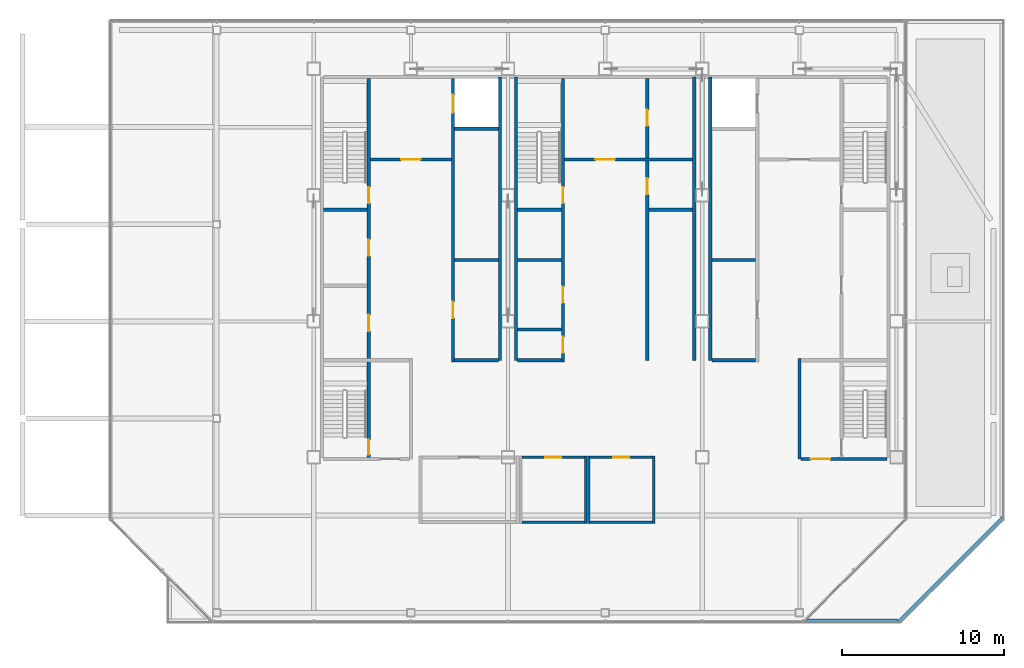
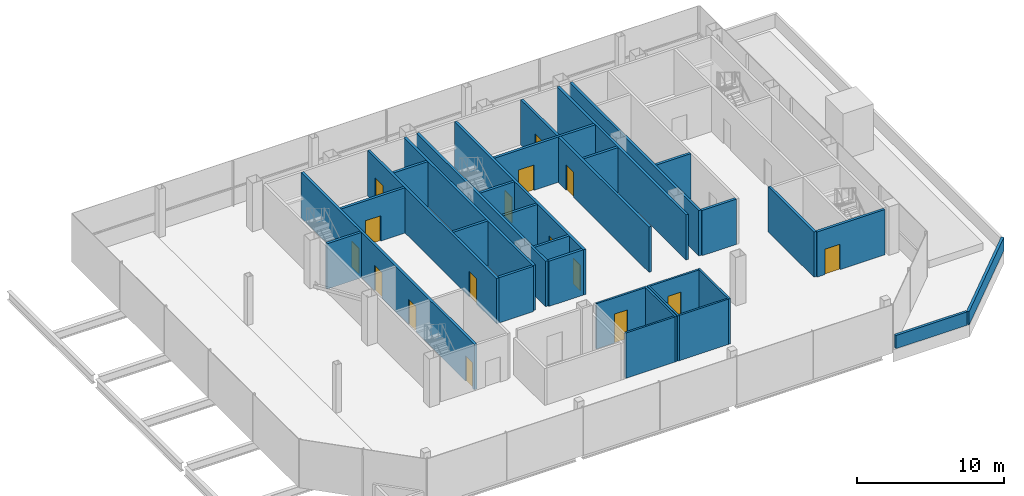
# One storey, part 13 of 17: 32 walls, 16 doors, 16 openings.
"""IFC4 building model written with IfcOpenShell, lengths in metres."""

from ifc_helpers import new_model, si_unit, direction, frame, frame_2d, origin, place, context, subcontext, project, spatial, rectangle, extrude, material, layer, layer_set, type_object, element, fill, save


model = new_model("IFC4")

# Units and contexts
model_context = context("Model", 3, precision=1e-05, world=origin(), true_north=direction((0.0, 1.0)))
body_context = subcontext(model_context, "Body", "Model", "MODEL_VIEW")
ifc_project = project(units=[si_unit("LENGTHUNIT", "METRE"), si_unit("AREAUNIT", "SQUARE_METRE"), si_unit("VOLUMEUNIT", "CUBIC_METRE"), si_unit("PLANEANGLEUNIT", "RADIAN"), si_unit("MASSUNIT", "GRAM", prefix="KILO")], contexts=[model_context])

# Site, building, storey
site_placement = place(None, origin())
site = spatial("IfcSite", under=ifc_project, at=site_placement, CompositionType="ELEMENT")
building_placement = place(site_placement, origin())
building = spatial("IfcBuilding", under=site, at=building_placement, Name="Sorahane Residences", CompositionType="ELEMENT")
storey_placement = place(building_placement, frame((0.0, 0.0, 341.800048828125)))
storey = spatial("IfcBuildingStorey", under=building, at=storey_placement, Name="L81", CompositionType="ELEMENT", Elevation=341.800048828125)

# Walls
ifc_material_1 = material(Name="Concrete C30", Category="concrete")
ifc_layer_1 = layer(ifc_material_1, 0.199951171875)
ifc_layer_set_1 = layer_set([ifc_layer_1], Name="Core face wall 200 EI 180")
wall_type_1 = type_object("IfcWallType", Name="Core face wall 200 EI 180", PredefinedType="SOLIDWALL", material=ifc_layer_set_1)
for number, where, z_axis, x_axis, name in (
    (1, (17.5, 27.60009765625, 0.0), (0.0, 0.0, 1.0), (0.0, 1.0, 0.0), "L81 core face wall"),
    (2, (18.5, 27.60009765625, 0.0), (0.0, 0.0, 1.0), (0.0, 1.0, 0.0), "L81 core face wall"),
    (3, (29.5, 27.60009765625, 0.0), (0.0, 0.0, 1.0), (0.0, 1.0, 0.0), "L81 core face wall"),
    (4, (30.5, 27.60009765625, 0.0), (0.0, 0.0, 1.0), (0.0, 1.0, 0.0), "L81 core face wall"),
):
    element("IfcWall", number, at=place(storey_placement, frame(where, z_axis=z_axis, x_axis=x_axis)), inside=storey, type_object=wall_type_1, Name=name, PredefinedType="SOLIDWALL", context=body_context, shape_type="SweptSolid", body=[
        extrude(rectangle(XDim=17.5, YDim=0.199951171875, at=frame_2d((8.75, 0.0))), origin(), (0.0, 0.0, 1.0), 3.75),
    ])

# Wall, openings, doors
ifc_material_2 = material(Name="Concrete C30", Category="concrete")
ifc_layer_2 = layer(ifc_material_2, 0.199951171875)
ifc_layer_set_2 = layer_set([ifc_layer_2], Name="Front room wall 200 EI 120")
wall_type_2 = type_object("IfcWallType", Name="Front room wall 200 EI 120", PredefinedType="PARTITIONING", material=ifc_layer_set_2)
wall_1_placement = place(storey_placement, frame((26.60009765625, 27.60009765625, 0.0), z_axis=(0.0, 0.0, 1.0), x_axis=(0.0, 1.0, 0.0)))
wall_1 = element("IfcWall", 5, at=wall_1_placement, inside=storey, type_object=wall_type_2, Name="L81 front room wall", PredefinedType="PARTITIONING", context=body_context, shape_type="SweptSolid", body=[
    extrude(rectangle(XDim=17.39990234375, YDim=0.199951171875, at=frame_2d((8.699951171875, 0.0))), origin(), (0.0, 0.0, 1.0), 3.75),
])
opening_1_placement = place(wall_1_placement, frame((10.25, 0.0, 0.0)))
opening_1 = element("IfcOpeningElement", 6, at=opening_1_placement, cuts=wall_1, Name="Opening L81-C20", PredefinedType="OPENING", context=body_context, shape_type="SweptSolid", body=[
    extrude(rectangle(XDim=1.0, YDim=2.10009765625, at=frame_2d((0.5, 1.050048828125))), frame((0.0, 0.10986328125, 0.0), z_axis=(0.0, -1.0, 0.0), x_axis=(1.0, 0.0, 0.0)), (0.0, 0.0, 1.0), 0.219970703125),
])
opening_2_placement = place(wall_1_placement, frame((14.47509765625, 0.0, 0.0)))
opening_2 = element("IfcOpeningElement", 7, at=opening_2_placement, cuts=wall_1, Name="Opening L81-C21", PredefinedType="OPENING", context=body_context, shape_type="SweptSolid", body=[
    extrude(rectangle(XDim=1.0, YDim=2.10009765625, at=frame_2d((0.5, 1.050048828125))), frame((0.0, 0.10986328125, 0.0), z_axis=(0.0, -1.0, 0.0), x_axis=(1.0, 0.0, 0.0)), (0.0, 0.0, 1.0), 0.219970703125),
])
ifc_material_3 = material(Name="Steel", Category="steel")
door_type_1 = type_object("IfcDoorType", Name="Service room door 1000x2100 FD60", OperationType="NOTDEFINED", PredefinedType="DOOR", material=ifc_material_3)
door_1_placement = place(opening_1_placement, frame((1.0, 0.0, 0.0), z_axis=(0.0, 0.0, 1.0), x_axis=(-1.0, 0.0, 0.0)))
door_1 = element("IfcDoor", 8, at=door_1_placement, inside=storey, type_object=door_type_1, Name="Service room door Linen room L81", OperationType="SINGLE_SWING_LEFT", OverallHeight=2.10009765625, OverallWidth=1.0, PredefinedType="DOOR", context=body_context, shape_type="SweptSolid", body=[
    extrude(rectangle(XDim=1.0, YDim=2.10009765625, at=frame_2d((0.5, 1.050048828125))), frame((0.0, 0.02490234375, 0.0), z_axis=(0.0, -1.0, 0.0), x_axis=(1.0, 0.0, 0.0)), (0.0, 0.0, 1.0), 0.050048828125),
])
fill(opening_1, door_1)
door_2_placement = place(opening_2_placement, frame((1.0, 0.0, 0.0), z_axis=(0.0, 0.0, 1.0), x_axis=(-1.0, 0.0, 0.0)))
door_2 = element("IfcDoor", 9, at=door_2_placement, inside=storey, type_object=door_type_1, Name="Service room door Cleaners' store L81", OperationType="SINGLE_SWING_LEFT", OverallHeight=2.10009765625, OverallWidth=1.0, PredefinedType="DOOR", context=body_context, shape_type="SweptSolid", body=[
    extrude(rectangle(XDim=1.0, YDim=2.10009765625, at=frame_2d((0.5, 1.050048828125))), frame((0.0, 0.02490234375, 0.0), z_axis=(0.0, -1.0, 0.0), x_axis=(1.0, 0.0, 0.0)), (0.0, 0.0, 1.0), 0.050048828125),
])
fill(opening_2, door_2)

# Wall
wall_2_placement = place(storey_placement, frame((36.0, 21.5, 0.0), z_axis=(0.0, 0.0, 1.0), x_axis=(0.0, 1.0, 0.0)))
element("IfcWall", 10, at=wall_2_placement, inside=storey, type_object=wall_type_2, Name="L81 front room wall", PredefinedType="PARTITIONING", context=body_context, shape_type="SweptSolid", body=[
    extrude(rectangle(XDim=6.199951171875, YDim=0.199951171875, at=frame_2d((3.10009765625, 0.0))), origin(), (0.0, 0.0, 1.0), 3.75),
])

# Wall, opening, door
wall_3_placement = place(storey_placement, frame((21.5, 40.0, 0.0), z_axis=(0.0, 0.0, 1.0), x_axis=(1.0, 0.0, 0.0)))
wall_3 = element("IfcWall", 11, at=wall_3_placement, inside=storey, type_object=wall_type_2, Name="L81 front room wall", PredefinedType="PARTITIONING", context=body_context, shape_type="SweptSolid", body=[
    extrude(rectangle(XDim=7.89990234375, YDim=0.199951171875, at=frame_2d((3.949951171875, 0.0))), origin(), (0.0, 0.0, 1.0), 3.75),
])
opening_3_placement = place(wall_3_placement, frame((1.89990234375, 0.0, 0.0)))
opening_3 = element("IfcOpeningElement", 12, at=opening_3_placement, cuts=wall_3, Name="Opening L81-C04", PredefinedType="OPENING", context=body_context, shape_type="SweptSolid", body=[
    extrude(rectangle(XDim=1.199951171875, YDim=2.10009765625, at=frame_2d((0.60009765625, 1.050048828125))), frame((0.0, 0.10986328125, 0.0), z_axis=(0.0, -1.0, 0.0), x_axis=(1.0, 0.0, 0.0)), (0.0, 0.0, 1.0), 0.219970703125),
])
ifc_material_4 = material(Name="Steel", Category="steel")
door_type_2 = type_object("IfcDoorType", Name="Front room door 1200x2100 FD120", OperationType="NOTDEFINED", PredefinedType="DOOR", material=ifc_material_4)
door_3_placement = place(opening_3_placement, frame((1.199951171875, 0.0, 0.0), z_axis=(0.0, 0.0, 1.0), x_axis=(-1.0, 0.0, 0.0)))
door_3 = element("IfcDoor", 13, at=door_3_placement, inside=storey, type_object=door_type_2, Name="Front room door Stair S3 vestibule L81", OperationType="DOUBLE_DOOR_SINGLE_SWING", OverallHeight=2.10009765625, OverallWidth=1.199951171875, PredefinedType="DOOR", context=body_context, shape_type="SweptSolid", body=[
    extrude(rectangle(XDim=1.199951171875, YDim=2.10009765625, at=frame_2d((0.60009765625, 1.050048828125))), frame((0.0, 0.02490234375, 0.0), z_axis=(0.0, -1.0, 0.0), x_axis=(1.0, 0.0, 0.0)), (0.0, 0.0, 1.0), 0.050048828125),
])
fill(opening_3, door_3)

wall_4_placement = place(storey_placement, frame((9.5, 40.0, 0.0), z_axis=(0.0, 0.0, 1.0), x_axis=(1.0, 0.0, 0.0)))
wall_4 = element("IfcWall", 14, at=wall_4_placement, inside=storey, type_object=wall_type_2, Name="L81 front room wall", PredefinedType="PARTITIONING", context=body_context, shape_type="SweptSolid", body=[
    extrude(rectangle(XDim=5.0, YDim=0.199951171875, at=frame_2d((2.5, 0.0))), origin(), (0.0, 0.0, 1.0), 3.75),
])
opening_4_placement = place(wall_4_placement, frame((1.89990234375, 0.0, 0.0)))
opening_4 = element("IfcOpeningElement", 15, at=opening_4_placement, cuts=wall_4, Name="Opening L81-C03", PredefinedType="OPENING", context=body_context, shape_type="SweptSolid", body=[
    extrude(rectangle(XDim=1.199951171875, YDim=2.10009765625, at=frame_2d((0.60009765625, 1.050048828125))), frame((0.0, 0.10986328125, 0.0), z_axis=(0.0, -1.0, 0.0), x_axis=(1.0, 0.0, 0.0)), (0.0, 0.0, 1.0), 0.219970703125),
])
door_4_placement = place(opening_4_placement, frame((1.199951171875, 0.0, 0.0), z_axis=(0.0, 0.0, 1.0), x_axis=(-1.0, 0.0, 0.0)))
door_4 = element("IfcDoor", 16, at=door_4_placement, inside=storey, type_object=door_type_2, Name="Front room door Firefighting lobby FF1 front room L81", OperationType="DOUBLE_DOOR_SINGLE_SWING", OverallHeight=2.10009765625, OverallWidth=1.199951171875, PredefinedType="DOOR", context=body_context, shape_type="SweptSolid", body=[
    extrude(rectangle(XDim=1.199951171875, YDim=2.10009765625, at=frame_2d((0.60009765625, 1.050048828125))), frame((0.0, 0.02490234375, 0.0), z_axis=(0.0, -1.0, 0.0), x_axis=(1.0, 0.0, 0.0)), (0.0, 0.0, 1.0), 0.050048828125),
])
fill(opening_4, door_4)

# Wall, openings, doors
ifc_material_5 = material(Name="Concrete C30", Category="concrete")
ifc_layer_3 = layer(ifc_material_5, 0.199951171875)
ifc_layer_set_3 = layer_set([ifc_layer_3], Name="Lift shaft wall 200 EI 120")
wall_type_3 = type_object("IfcWallType", Name="Lift shaft wall 200 EI 120", PredefinedType="SOLIDWALL", material=ifc_layer_set_3)
wall_5_placement = place(storey_placement, frame((14.60009765625, 27.5, 0.0), z_axis=(0.0, 0.0, 1.0), x_axis=(0.0, 1.0, 0.0)))
wall_5 = element("IfcWall", 17, at=wall_5_placement, inside=storey, type_object=wall_type_3, Name="L81 lift shaft wall", PredefinedType="SOLIDWALL", context=body_context, shape_type="SweptSolid", body=[
    extrude(rectangle(XDim=17.5, YDim=0.199951171875, at=frame_2d((8.75, 0.0))), origin(), (0.0, 0.0, 1.0), 3.75),
])
opening_5_placement = place(wall_5_placement, frame((15.39990234375, 0.0, 0.0)))
opening_5 = element("IfcOpeningElement", 18, at=opening_5_placement, cuts=wall_5, Name="Opening L81-C07", PredefinedType="OPENING", context=body_context, shape_type="SweptSolid", body=[
    extrude(rectangle(XDim=1.10009765625, YDim=2.10009765625, at=frame_2d((0.550048828125, 1.050048828125))), frame((0.0, 0.10986328125, 0.0), z_axis=(0.0, -1.0, 0.0), x_axis=(1.0, 0.0, 0.0)), (0.0, 0.0, 1.0), 0.219970703125),
])
opening_6_placement = place(wall_5_placement, frame((2.699951171875, 0.0, 0.0)))
opening_6 = element("IfcOpeningElement", 19, at=opening_6_placement, cuts=wall_5, Name="Opening L81-C12", PredefinedType="OPENING", context=body_context, shape_type="SweptSolid", body=[
    extrude(rectangle(XDim=1.0, YDim=2.10009765625, at=frame_2d((0.5, 1.050048828125))), frame((0.0, 0.10986328125, 0.0), z_axis=(0.0, -1.0, 0.0), x_axis=(1.0, 0.0, 0.0)), (0.0, 0.0, 1.0), 0.219970703125),
])
ifc_material_6 = material(Name="Aluminium and stainless steel", Category="steel")
door_type_3 = type_object("IfcDoorType", Name="Lift landing door 1100x2100 E 60", OperationType="NOTDEFINED", PredefinedType="DOOR", material=ifc_material_6)
door_5_placement = place(opening_5_placement, origin())
door_5 = element("IfcDoor", 20, at=door_5_placement, inside=storey, type_object=door_type_3, Name="Lift landing door FF1 L81", OperationType="DOUBLE_DOOR_SLIDING", OverallHeight=2.10009765625, OverallWidth=1.10009765625, PredefinedType="DOOR", context=body_context, shape_type="SweptSolid", body=[
    extrude(rectangle(XDim=1.10009765625, YDim=2.10009765625, at=frame_2d((0.550048828125, 1.050048828125))), frame((0.0, 0.02490234375, 0.0), z_axis=(0.0, -1.0, 0.0), x_axis=(1.0, 0.0, 0.0)), (0.0, 0.0, 1.0), 0.050048828125),
])
fill(opening_5, door_5)
door_6_placement = place(opening_6_placement, frame((1.0, 0.0, 0.0), z_axis=(0.0, 0.0, 1.0), x_axis=(-1.0, 0.0, 0.0)))
door_6 = element("IfcDoor", 21, at=door_6_placement, inside=storey, type_object=door_type_1, Name="Service room door Quiet room L81", OperationType="SINGLE_SWING_RIGHT", OverallHeight=2.10009765625, OverallWidth=1.0, PredefinedType="DOOR", context=body_context, shape_type="SweptSolid", body=[
    extrude(rectangle(XDim=1.0, YDim=2.10009765625, at=frame_2d((0.5, 1.050048828125))), frame((0.0, 0.02490234375, 0.0), z_axis=(0.0, -1.0, 0.0), x_axis=(1.0, 0.0, 0.0)), (0.0, 0.0, 1.0), 0.050048828125),
])
fill(opening_6, door_6)

# Walls
wall_6_placement = place(storey_placement, frame((14.699951171875, 41.89990234375, 0.0), z_axis=(0.0, 0.0, 1.0), x_axis=(1.0, 0.0, 0.0)))
element("IfcWall", 22, at=wall_6_placement, inside=storey, type_object=wall_type_3, Name="L81 lift shaft wall", PredefinedType="SOLIDWALL", context=body_context, shape_type="SweptSolid", body=[
    extrude(rectangle(XDim=2.699951171875, YDim=0.199951171875, at=frame_2d((1.35009765625, 0.0))), origin(), (0.0, 0.0, 1.0), 3.75),
])
ifc_material_7 = material(Name="Concrete C35", Category="concrete")
ifc_layer_4 = layer(ifc_material_7, 0.199951171875)
ifc_layer_set_4 = layer_set([ifc_layer_4], Name="Parapet wall Concrete C35 200")
wall_type_4 = type_object("IfcWallType", Name="Parapet wall Concrete C35 200", PredefinedType="PARAPET", material=ifc_layer_set_4)
wall_7_placement = place(storey_placement, frame((48.57080078125, 17.863525390625, 0.0), z_axis=(0.0, 0.0, 1.0), x_axis=(-0.707106781187, -0.707106781187, 0.0)))
element("IfcWall", 23, at=wall_7_placement, inside=storey, type_object=wall_type_4, Name="Roof parapet L81.2.1.3", PredefinedType="PARAPET", context=body_context, shape_type="SweptSolid", body=[
    extrude(rectangle(XDim=9.099609375, YDim=0.199951171875, at=frame_2d((4.5498046875, 0.0))), origin(), (0.0, 0.0, 1.0), 1.099853515625),
])
wall_8_placement = place(storey_placement, frame((42.06201171875, 11.5, 0.0), z_axis=(0.0, 0.0, 1.0), x_axis=(-1.0, 0.0, 0.0)))
element("IfcWall", 24, at=wall_8_placement, inside=storey, type_object=wall_type_4, Name="Roof parapet L81.2.1.4", PredefinedType="PARAPET", context=body_context, shape_type="SweptSolid", body=[
    extrude(rectangle(XDim=5.572021484375, YDim=0.199951171875, at=frame_2d((2.7861328125, 0.0))), origin(), (0.0, 0.0, 1.0), 1.099853515625),
])
ifc_material_8 = material(Name="Gypsum board partition on steel studs", Category="steel")
ifc_layer_5 = layer(ifc_material_8, 0.14990234375)
ifc_layer_set_5 = layer_set([ifc_layer_5], Name="Partition 150 EI 90")
wall_type_5 = type_object("IfcWallType", Name="Partition 150 EI 90", PredefinedType="PARTITIONING", material=ifc_layer_set_5)
wall_9_placement = place(storey_placement, frame((22.800048828125, 17.52490234375, 0.0), z_axis=(0.0, 0.0, 1.0), x_axis=(0.0, 1.0, 0.0)))
element("IfcWall", 25, at=wall_9_placement, inside=storey, type_object=wall_type_5, Name="L81 partition", PredefinedType="PARTITIONING", context=body_context, shape_type="SweptSolid", body=[
    extrude(rectangle(XDim=4.150146484375, YDim=0.14990234375, at=frame_2d((2.0751953125, 0.0))), origin(), (0.0, 0.0, 1.0), 3.75),
])
wall_10_placement = place(storey_placement, frame((18.875, 17.60009765625, 0.0), z_axis=(0.0, 0.0, 1.0), x_axis=(1.0, 0.0, 0.0)))
element("IfcWall", 26, at=wall_10_placement, inside=storey, type_object=wall_type_5, Name="L81 partition", PredefinedType="PARTITIONING", context=body_context, shape_type="SweptSolid", body=[
    extrude(rectangle(XDim=3.85009765625, YDim=0.14990234375, at=frame_2d((1.925048828125, 0.0))), origin(), (0.0, 0.0, 1.0), 3.75),
])

# Wall, opening, door
wall_11_placement = place(storey_placement, frame((18.875, 21.60009765625, 0.0), z_axis=(0.0, 0.0, 1.0), x_axis=(1.0, 0.0, 0.0)))
wall_11 = element("IfcWall", 27, at=wall_11_placement, inside=storey, type_object=wall_type_5, Name="L81 partition", PredefinedType="PARTITIONING", context=body_context, shape_type="SweptSolid", body=[
    extrude(rectangle(XDim=3.85009765625, YDim=0.14990234375, at=frame_2d((1.925048828125, 0.0))), origin(), (0.0, 0.0, 1.0), 3.75),
])
opening_7_placement = place(wall_11_placement, frame((1.425048828125, 0.0, 0.0)))
opening_7 = element("IfcOpeningElement", 28, at=opening_7_placement, cuts=wall_11, Name="Opening L81-02", PredefinedType="OPENING", context=body_context, shape_type="SweptSolid", body=[
    extrude(rectangle(XDim=1.0, YDim=2.39990234375, at=frame_2d((0.5, 1.199951171875))), frame((0.0, 0.0849609375, 0.0), z_axis=(0.0, -1.0, 0.0), x_axis=(1.0, 0.0, 0.0)), (0.0, 0.0, 1.0), 0.169921875),
])
ifc_material_9 = material(Name="Timber veneered fire door", Category="wood")
door_type_4 = type_object("IfcDoorType", Name="Room door 1000x2400 FD30", OperationType="NOTDEFINED", PredefinedType="DOOR", material=ifc_material_9)
door_7_placement = place(opening_7_placement, origin())
door_7 = element("IfcDoor", 29, at=door_7_placement, inside=storey, type_object=door_type_4, Name="Room door L81-02", OperationType="SINGLE_SWING_RIGHT", OverallHeight=2.39990234375, OverallWidth=1.0, PredefinedType="DOOR", context=body_context, shape_type="SweptSolid", body=[
    extrude(rectangle(XDim=1.0, YDim=2.39990234375, at=frame_2d((0.5, 1.199951171875))), frame((0.0, 0.02490234375, 0.0), z_axis=(0.0, -1.0, 0.0), x_axis=(1.0, 0.0, 0.0)), (0.0, 0.0, 1.0), 0.050048828125),
])
fill(opening_7, door_7)

# Walls
ifc_material_10 = material(Name="Concrete C30", Category="concrete")
ifc_layer_6 = layer(ifc_material_10, 0.199951171875)
ifc_layer_set_6 = layer_set([ifc_layer_6], Name="Service room partition 200 EI 60")
wall_type_6 = type_object("IfcWallType", Name="Service room partition 200 EI 60", PredefinedType="PARTITIONING", material=ifc_layer_set_6)
for number, where, z_axis, x_axis, name in (
    (30, (14.699951171875, 27.60009765625, 0.0), (0.0, 0.0, 1.0), (1.0, 0.0, 0.0), "L81 service room wall"),
    (31, (18.60009765625, 27.60009765625, 0.0), (0.0, 0.0, 1.0), (1.0, 0.0, 0.0), "L81 service room wall"),
    (32, (30.60009765625, 27.60009765625, 0.0), (0.0, 0.0, 1.0), (1.0, 0.0, 0.0), "L81 service room wall"),
    (33, (18.60009765625, 29.5, 0.0), (0.0, 0.0, 1.0), (1.0, 0.0, 0.0), "L81 service room wall"),
    (34, (14.699951171875, 33.800048828125, 0.0), (0.0, 0.0, 1.0), (1.0, 0.0, 0.0), "L81 service room wall"),
    (35, (18.60009765625, 33.800048828125, 0.0), (0.0, 0.0, 1.0), (1.0, 0.0, 0.0), "L81 service room wall"),
    (36, (30.60009765625, 33.800048828125, 0.0), (0.0, 0.0, 1.0), (1.0, 0.0, 0.0), "L81 service room wall"),
    (37, (26.699951171875, 36.89990234375, 0.0), (0.0, 0.0, 1.0), (1.0, 0.0, 0.0), "L81 service room wall"),
):
    element("IfcWall", number, at=place(storey_placement, frame(where, z_axis=z_axis, x_axis=x_axis)), inside=storey, type_object=wall_type_6, Name=name, PredefinedType="PARTITIONING", context=body_context, shape_type="SweptSolid", body=[
        extrude(rectangle(XDim=2.699951171875, YDim=0.199951171875, at=frame_2d((1.35009765625, 0.0))), origin(), (0.0, 0.0, 1.0), 3.75),
    ])

# Wall, openings, doors
ifc_material_11 = material(Name="Concrete C30", Category="concrete")
ifc_layer_7 = layer(ifc_material_11, 0.199951171875)
ifc_layer_set_7 = layer_set([ifc_layer_7], Name="Stair enclosure wall 200 EI 120")
wall_type_7 = type_object("IfcWallType", Name="Stair enclosure wall 200 EI 120", PredefinedType="SOLIDWALL", material=ifc_layer_set_7)
wall_12_placement = place(storey_placement, frame((21.39990234375, 27.5, 0.0), z_axis=(0.0, 0.0, 1.0), x_axis=(0.0, 1.0, 0.0)))
wall_12 = element("IfcWall", 38, at=wall_12_placement, inside=storey, type_object=wall_type_7, Name="L81 stair enclosure wall", PredefinedType="SOLIDWALL", context=body_context, shape_type="SweptSolid", body=[
    extrude(rectangle(XDim=17.5, YDim=0.199951171875, at=frame_2d((8.75, 0.0))), origin(), (0.0, 0.0, 1.0), 3.75),
])
opening_8_placement = place(wall_12_placement, frame((0.550048828125, 0.0, 0.0)))
opening_8 = element("IfcOpeningElement", 39, at=opening_8_placement, cuts=wall_12, Name="Opening L81-C08", PredefinedType="OPENING", context=body_context, shape_type="SweptSolid", body=[
    extrude(rectangle(XDim=1.0, YDim=2.10009765625, at=frame_2d((0.5, 1.050048828125))), frame((0.0, 0.10986328125, 0.0), z_axis=(0.0, -1.0, 0.0), x_axis=(1.0, 0.0, 0.0)), (0.0, 0.0, 1.0), 0.219970703125),
])
opening_9_placement = place(wall_12_placement, frame((3.64990234375, 0.0, 0.0)))
opening_9 = element("IfcOpeningElement", 40, at=opening_9_placement, cuts=wall_12, Name="Opening L81-C09", PredefinedType="OPENING", context=body_context, shape_type="SweptSolid", body=[
    extrude(rectangle(XDim=1.0, YDim=2.10009765625, at=frame_2d((0.5, 1.050048828125))), frame((0.0, 0.10986328125, 0.0), z_axis=(0.0, -1.0, 0.0), x_axis=(1.0, 0.0, 0.0)), (0.0, 0.0, 1.0), 0.219970703125),
])
opening_10_placement = place(wall_12_placement, frame((9.800048828125, 0.0, 0.0)))
opening_10 = element("IfcOpeningElement", 41, at=opening_10_placement, cuts=wall_12, Name="Opening L81-C17", PredefinedType="OPENING", context=body_context, shape_type="SweptSolid", body=[
    extrude(rectangle(XDim=1.0, YDim=2.10009765625, at=frame_2d((0.5, 1.050048828125))), frame((0.0, 0.10986328125, 0.0), z_axis=(0.0, -1.0, 0.0), x_axis=(1.0, 0.0, 0.0)), (0.0, 0.0, 1.0), 0.219970703125),
])
door_8_placement = place(opening_8_placement, origin())
door_8 = element("IfcDoor", 42, at=door_8_placement, inside=storey, type_object=door_type_1, Name="Service room door Coat store L81", OperationType="SINGLE_SWING_LEFT", OverallHeight=2.10009765625, OverallWidth=1.0, PredefinedType="DOOR", context=body_context, shape_type="SweptSolid", body=[
    extrude(rectangle(XDim=1.0, YDim=2.10009765625, at=frame_2d((0.5, 1.050048828125))), frame((0.0, 0.02490234375, 0.0), z_axis=(0.0, -1.0, 0.0), x_axis=(1.0, 0.0, 0.0)), (0.0, 0.0, 1.0), 0.050048828125),
])
fill(opening_8, door_8)
door_9_placement = place(opening_9_placement, origin())
door_9 = element("IfcDoor", 43, at=door_9_placement, inside=storey, type_object=door_type_1, Name="Service room door Library L81", OperationType="SINGLE_SWING_LEFT", OverallHeight=2.10009765625, OverallWidth=1.0, PredefinedType="DOOR", context=body_context, shape_type="SweptSolid", body=[
    extrude(rectangle(XDim=1.0, YDim=2.10009765625, at=frame_2d((0.5, 1.050048828125))), frame((0.0, 0.02490234375, 0.0), z_axis=(0.0, -1.0, 0.0), x_axis=(1.0, 0.0, 0.0)), (0.0, 0.0, 1.0), 0.050048828125),
])
fill(opening_9, door_9)
ifc_material_12 = material(Name="Steel", Category="steel")
door_type_5 = type_object("IfcDoorType", Name="Stair door 1000x2100 FD120", OperationType="NOTDEFINED", PredefinedType="DOOR", material=ifc_material_12)
door_10_placement = place(opening_10_placement, origin())
door_10 = element("IfcDoor", 44, at=door_10_placement, inside=storey, type_object=door_type_5, Name="Stair door S3 L81", OperationType="SINGLE_SWING_LEFT", OverallHeight=2.10009765625, OverallWidth=1.0, PredefinedType="DOOR", context=body_context, shape_type="SweptSolid", body=[
    extrude(rectangle(XDim=1.0, YDim=2.10009765625, at=frame_2d((0.5, 1.050048828125))), frame((0.0, 0.02490234375, 0.0), z_axis=(0.0, -1.0, 0.0), x_axis=(1.0, 0.0, 0.0)), (0.0, 0.0, 1.0), 0.050048828125),
])
fill(opening_10, door_10)

wall_13_placement = place(storey_placement, frame((9.39990234375, 21.5, 0.0), z_axis=(0.0, 0.0, 1.0), x_axis=(0.0, 1.0, 0.0)))
wall_13 = element("IfcWall", 45, at=wall_13_placement, inside=storey, type_object=wall_type_7, Name="L81 stair enclosure wall", PredefinedType="SOLIDWALL", context=body_context, shape_type="SweptSolid", body=[
    extrude(rectangle(XDim=23.5, YDim=0.199951171875, at=frame_2d((11.75, 0.0))), origin(), (0.0, 0.0, 1.0), 3.75),
])
opening_11_placement = place(wall_13_placement, frame((7.89990234375, 0.0, 0.0)))
opening_11 = element("IfcOpeningElement", 46, at=opening_11_placement, cuts=wall_13, Name="Opening L81-C13", PredefinedType="OPENING", context=body_context, shape_type="SweptSolid", body=[
    extrude(rectangle(XDim=1.0, YDim=2.10009765625, at=frame_2d((0.5, 1.050048828125))), frame((0.0, 0.10986328125, 0.0), z_axis=(0.0, -1.0, 0.0), x_axis=(1.0, 0.0, 0.0)), (0.0, 0.0, 1.0), 0.219970703125),
])
opening_12_placement = place(wall_13_placement, frame((12.550048828125, 0.0, 0.0)))
opening_12 = element("IfcOpeningElement", 47, at=opening_12_placement, cuts=wall_13, Name="Opening L81-C14", PredefinedType="OPENING", context=body_context, shape_type="SweptSolid", body=[
    extrude(rectangle(XDim=1.0, YDim=2.10009765625, at=frame_2d((0.5, 1.050048828125))), frame((0.0, 0.10986328125, 0.0), z_axis=(0.0, -1.0, 0.0), x_axis=(1.0, 0.0, 0.0)), (0.0, 0.0, 1.0), 0.219970703125),
])
opening_13_placement = place(wall_13_placement, frame((15.800048828125, 0.0, 0.0)))
opening_13 = element("IfcOpeningElement", 48, at=opening_13_placement, cuts=wall_13, Name="Opening L81-C15", PredefinedType="OPENING", context=body_context, shape_type="SweptSolid", body=[
    extrude(rectangle(XDim=1.0, YDim=2.10009765625, at=frame_2d((0.5, 1.050048828125))), frame((0.0, 0.10986328125, 0.0), z_axis=(0.0, -1.0, 0.0), x_axis=(1.0, 0.0, 0.0)), (0.0, 0.0, 1.0), 0.219970703125),
])
opening_14_placement = place(wall_13_placement, frame((0.27490234375, 0.0, 0.0)))
opening_14 = element("IfcOpeningElement", 49, at=opening_14_placement, cuts=wall_13, Name="Opening L81-C18", PredefinedType="OPENING", context=body_context, shape_type="SweptSolid", body=[
    extrude(rectangle(XDim=0.89990234375, YDim=2.10009765625, at=frame_2d((0.449951171875, 1.050048828125))), frame((0.0, 0.10986328125, 0.0), z_axis=(0.0, -1.0, 0.0), x_axis=(1.0, 0.0, 0.0)), (0.0, 0.0, 1.0), 0.219970703125),
])
door_11_placement = place(opening_11_placement, origin())
door_11 = element("IfcDoor", 50, at=door_11_placement, inside=storey, type_object=door_type_1, Name="Service room door Quiet room L81", OperationType="SINGLE_SWING_RIGHT", OverallHeight=2.10009765625, OverallWidth=1.0, PredefinedType="DOOR", context=body_context, shape_type="SweptSolid", body=[
    extrude(rectangle(XDim=1.0, YDim=2.10009765625, at=frame_2d((0.5, 1.050048828125))), frame((0.0, 0.02490234375, 0.0), z_axis=(0.0, -1.0, 0.0), x_axis=(1.0, 0.0, 0.0)), (0.0, 0.0, 1.0), 0.050048828125),
])
fill(opening_11, door_11)
door_12_placement = place(opening_12_placement, origin())
door_12 = element("IfcDoor", 51, at=door_12_placement, inside=storey, type_object=door_type_1, Name="Service room door Quiet room L81", OperationType="SINGLE_SWING_LEFT", OverallHeight=2.10009765625, OverallWidth=1.0, PredefinedType="DOOR", context=body_context, shape_type="SweptSolid", body=[
    extrude(rectangle(XDim=1.0, YDim=2.10009765625, at=frame_2d((0.5, 1.050048828125))), frame((0.0, 0.02490234375, 0.0), z_axis=(0.0, -1.0, 0.0), x_axis=(1.0, 0.0, 0.0)), (0.0, 0.0, 1.0), 0.050048828125),
])
fill(opening_12, door_12)
door_13_placement = place(opening_13_placement, origin())
door_13 = element("IfcDoor", 52, at=door_13_placement, inside=storey, type_object=door_type_5, Name="Stair door S1 L81", OperationType="SINGLE_SWING_LEFT", OverallHeight=2.10009765625, OverallWidth=1.0, PredefinedType="DOOR", context=body_context, shape_type="SweptSolid", body=[
    extrude(rectangle(XDim=1.0, YDim=2.10009765625, at=frame_2d((0.5, 1.050048828125))), frame((0.0, 0.02490234375, 0.0), z_axis=(0.0, -1.0, 0.0), x_axis=(1.0, 0.0, 0.0)), (0.0, 0.0, 1.0), 0.050048828125),
])
fill(opening_13, door_13)
ifc_material_13 = material(Name="Steel", Category="steel")
door_type_6 = type_object("IfcDoorType", Name="Stair door 900x2100 FD120", OperationType="NOTDEFINED", PredefinedType="DOOR", material=ifc_material_13)
door_14_placement = place(opening_14_placement, origin())
door_14 = element("IfcDoor", 53, at=door_14_placement, inside=storey, type_object=door_type_6, Name="Stair door S4 L81", OperationType="SINGLE_SWING_LEFT", OverallHeight=2.10009765625, OverallWidth=0.89990234375, PredefinedType="DOOR", context=body_context, shape_type="SweptSolid", body=[
    extrude(rectangle(XDim=0.89990234375, YDim=2.10009765625, at=frame_2d((0.449951171875, 1.050048828125))), frame((0.0, 0.02490234375, 0.0), z_axis=(0.0, -1.0, 0.0), x_axis=(1.0, 0.0, 0.0)), (0.0, 0.0, 1.0), 0.050048828125),
])
fill(opening_14, door_14)

# Wall, opening, door
wall_14_placement = place(storey_placement, frame((36.10009765625, 21.5, 0.0), z_axis=(0.0, 0.0, 1.0), x_axis=(1.0, 0.0, 0.0)))
wall_14 = element("IfcWall", 54, at=wall_14_placement, inside=storey, type_object=wall_type_7, Name="L81 stair enclosure wall", PredefinedType="SOLIDWALL", context=body_context, shape_type="SweptSolid", body=[
    extrude(rectangle(XDim=5.2998046875, YDim=0.199951171875, at=frame_2d((2.64990234375, 0.0))), origin(), (0.0, 0.0, 1.0), 3.75),
])
opening_15_placement = place(wall_14_placement, frame((0.60009765625, 0.0, 0.0)))
opening_15 = element("IfcOpeningElement", 55, at=opening_15_placement, cuts=wall_14, Name="Opening L81-C02", PredefinedType="OPENING", context=body_context, shape_type="SweptSolid", body=[
    extrude(rectangle(XDim=1.199951171875, YDim=2.10009765625, at=frame_2d((0.60009765625, 1.050048828125))), frame((0.0, 0.10986328125, 0.0), z_axis=(0.0, -1.0, 0.0), x_axis=(1.0, 0.0, 0.0)), (0.0, 0.0, 1.0), 0.219970703125),
])
ifc_material_14 = material(Name="Steel", Category="steel")
door_type_7 = type_object("IfcDoorType", Name="Stair front room door 1200x2100 FD120", OperationType="NOTDEFINED", PredefinedType="DOOR", material=ifc_material_14)
door_15_placement = place(opening_15_placement, frame((1.199951171875, 0.0, 0.0), z_axis=(0.0, 0.0, 1.0), x_axis=(-1.0, 0.0, 0.0)))
door_15 = element("IfcDoor", 56, at=door_15_placement, inside=storey, type_object=door_type_7, Name="Stair front room door Stair S5 front room L81", OperationType="SINGLE_SWING_RIGHT", OverallHeight=2.10009765625, OverallWidth=1.199951171875, PredefinedType="DOOR", context=body_context, shape_type="SweptSolid", body=[
    extrude(rectangle(XDim=1.199951171875, YDim=2.10009765625, at=frame_2d((0.60009765625, 1.050048828125))), frame((0.0, 0.02490234375, 0.0), z_axis=(0.0, -1.0, 0.0), x_axis=(1.0, 0.0, 0.0)), (0.0, 0.0, 1.0), 0.050048828125),
])
fill(opening_15, door_15)

# Walls
for number, where, z_axis, x_axis, name in (
    (57, (18.60009765625, 36.89990234375, 0.0), (0.0, 0.0, 1.0), (1.0, 0.0, 0.0), "L81 stair enclosure wall"),
    (58, (6.60009765625, 36.89990234375, 0.0), (0.0, 0.0, 1.0), (1.0, 0.0, 0.0), "L81 stair enclosure wall"),
):
    element("IfcWall", number, at=place(storey_placement, frame(where, z_axis=z_axis, x_axis=x_axis)), inside=storey, type_object=wall_type_7, Name=name, PredefinedType="SOLIDWALL", context=body_context, shape_type="SweptSolid", body=[
        extrude(rectangle(XDim=2.699951171875, YDim=0.199951171875, at=frame_2d((1.35009765625, 0.0))), origin(), (0.0, 0.0, 1.0), 3.75),
    ])
ifc_material_15 = material(Name="Gypsum board partition on steel studs", Category="steel")
ifc_layer_8 = layer(ifc_material_15, 0.14990234375)
ifc_layer_set_8 = layer_set([ifc_layer_8], Name="Wet wall 150 EI 90")
wall_type_8 = type_object("IfcWallType", Name="Wet wall 150 EI 90", PredefinedType="PARTITIONING", material=ifc_layer_set_8)
for number, where, z_axis, x_axis, name in (
    (59, (23.0, 17.52490234375, 0.0), (0.0, 0.0, 1.0), (0.0, 1.0, 0.0), "L81 wet wall"),
    (60, (27.0, 17.52490234375, 0.0), (0.0, 0.0, 1.0), (0.0, 1.0, 0.0), "L81 wet wall"),
):
    element("IfcWall", number, at=place(storey_placement, frame(where, z_axis=z_axis, x_axis=x_axis)), inside=storey, type_object=wall_type_8, Name=name, PredefinedType="PARTITIONING", context=body_context, shape_type="SweptSolid", body=[
        extrude(rectangle(XDim=4.150146484375, YDim=0.14990234375, at=frame_2d((2.0751953125, 0.0))), origin(), (0.0, 0.0, 1.0), 3.75),
    ])
wall_15_placement = place(storey_placement, frame((23.074951171875, 17.60009765625, 0.0), z_axis=(0.0, 0.0, 1.0), x_axis=(1.0, 0.0, 0.0)))
element("IfcWall", 61, at=wall_15_placement, inside=storey, type_object=wall_type_8, Name="L81 wet wall", PredefinedType="PARTITIONING", context=body_context, shape_type="SweptSolid", body=[
    extrude(rectangle(XDim=3.85009765625, YDim=0.14990234375, at=frame_2d((1.925048828125, 0.0))), origin(), (0.0, 0.0, 1.0), 3.75),
])

# Wall, opening, door
wall_16_placement = place(storey_placement, frame((23.074951171875, 21.60009765625, 0.0), z_axis=(0.0, 0.0, 1.0), x_axis=(1.0, 0.0, 0.0)))
wall_16 = element("IfcWall", 62, at=wall_16_placement, inside=storey, type_object=wall_type_8, Name="L81 wet wall", PredefinedType="PARTITIONING", context=body_context, shape_type="SweptSolid", body=[
    extrude(rectangle(XDim=3.85009765625, YDim=0.14990234375, at=frame_2d((1.925048828125, 0.0))), origin(), (0.0, 0.0, 1.0), 3.75),
])
opening_16_placement = place(wall_16_placement, frame((1.425048828125, 0.0, 0.0)))
opening_16 = element("IfcOpeningElement", 63, at=opening_16_placement, cuts=wall_16, Name="Opening L81-03", PredefinedType="OPENING", context=body_context, shape_type="SweptSolid", body=[
    extrude(rectangle(XDim=1.0, YDim=2.39990234375, at=frame_2d((0.5, 1.199951171875))), frame((0.0, 0.0849609375, 0.0), z_axis=(0.0, -1.0, 0.0), x_axis=(1.0, 0.0, 0.0)), (0.0, 0.0, 1.0), 0.169921875),
])
door_16_placement = place(opening_16_placement, frame((1.0, 0.0, 0.0), z_axis=(0.0, 0.0, 1.0), x_axis=(-1.0, 0.0, 0.0)))
door_16 = element("IfcDoor", 64, at=door_16_placement, inside=storey, type_object=door_type_4, Name="Room door L81-03", OperationType="SINGLE_SWING_RIGHT", OverallHeight=2.39990234375, OverallWidth=1.0, PredefinedType="DOOR", context=body_context, shape_type="SweptSolid", body=[
    extrude(rectangle(XDim=1.0, YDim=2.39990234375, at=frame_2d((0.5, 1.199951171875))), frame((0.0, 0.02490234375, 0.0), z_axis=(0.0, -1.0, 0.0), x_axis=(1.0, 0.0, 0.0)), (0.0, 0.0, 1.0), 0.050048828125),
])
fill(opening_16, door_16)

save(model, "model.ifc")
